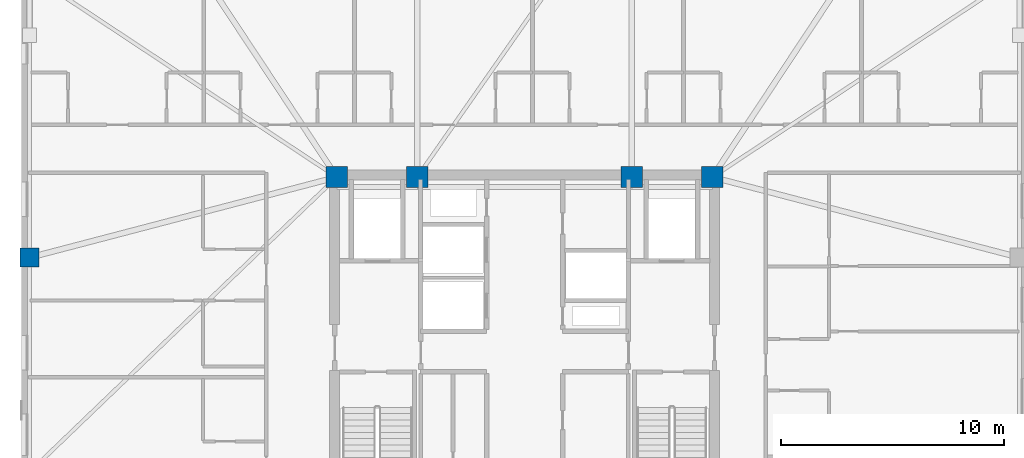
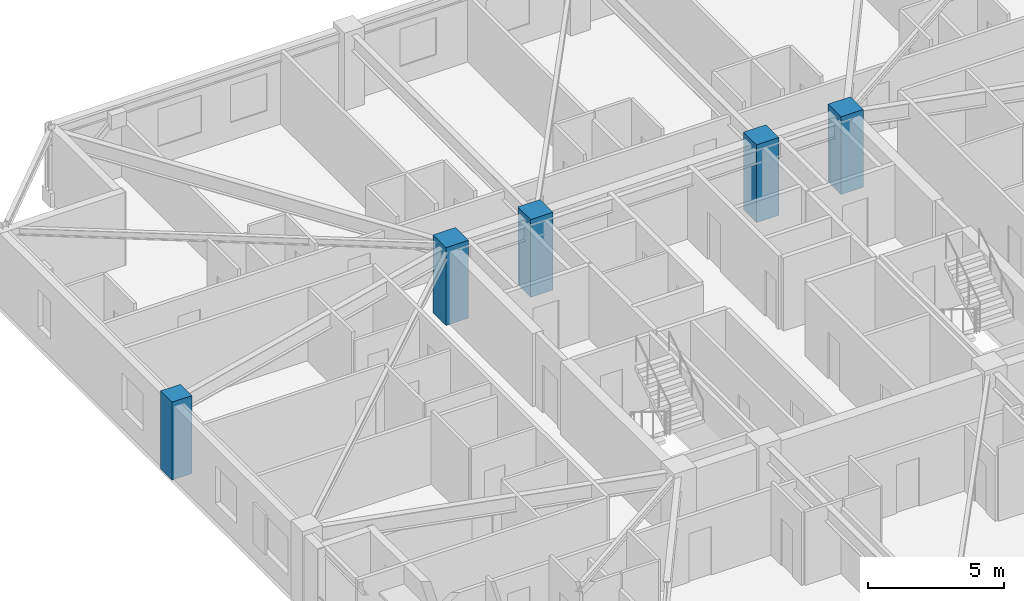
# One storey, part 2 of 17: 5 columns.
"""IFC4 building model written with IfcOpenShell, lengths in metres."""

from ifc_helpers import new_model, si_unit, direction, frame, origin, origin_2d, place, context, subcontext, project, spatial, rectangle, extrude, material, material_profile, profile_set, type_object, element, save


model = new_model("IFC4")

# Units and contexts
model_context = context("Model", 3, precision=1e-05, world=origin(), true_north=direction((0.0, 1.0)))
body_context = subcontext(model_context, "Body", "Model", "MODEL_VIEW")
ifc_project = project(units=[si_unit("LENGTHUNIT", "METRE"), si_unit("AREAUNIT", "SQUARE_METRE"), si_unit("VOLUMEUNIT", "CUBIC_METRE"), si_unit("PLANEANGLEUNIT", "RADIAN"), si_unit("MASSUNIT", "GRAM", prefix="KILO")], contexts=[model_context])

# Site, building, storey
site_placement = place(None, origin())
site = spatial("IfcSite", under=ifc_project, at=site_placement, CompositionType="ELEMENT")
building_placement = place(site_placement, origin())
building = spatial("IfcBuilding", under=site, at=building_placement, Name="Cairnveth Concourse Tower", CompositionType="ELEMENT")
storey_placement = place(building_placement, frame((0.0, 0.0, 251.5)))
storey = spatial("IfcBuildingStorey", under=building, at=storey_placement, Name="L69", CompositionType="ELEMENT", Elevation=251.5)

# Columns
ifc_material = material(Name="Concrete N65 (65 MPa)", Category="concrete")
ifc_material_profile_1 = material_profile(ifc_material, rectangle(XDim=0.949951171875, YDim=0.949951171875, at=origin_2d()), Name="RC-COL-950x950")
ifc_profile_set_1 = profile_set([ifc_material_profile_1], Name="Concrete N65 (65 MPa)")
column_type_1 = type_object("IfcColumnType", Name="CORE COLUMN 950X950", PredefinedType="COLUMN", material=ifc_profile_set_1)
for number, where, z_axis, x_axis, name in (
    (1, (43.60009765625, 47.39990234375, 0.0), (0.0, 0.0, 1.0), (1.0, 0.0, 0.0), "Column CC5 L69"),
    (2, (47.199951171875, 47.39990234375, 0.0), (0.0, 0.0, 1.0), (1.0, 0.0, 0.0), "Column CC6 L69"),
    (3, (56.800048828125, 47.39990234375, 0.0), (0.0, 0.0, 1.0), (1.0, 0.0, 0.0), "Column CC7 L69"),
    (4, (60.39990234375, 47.39990234375, 0.0), (0.0, 0.0, 1.0), (1.0, 0.0, 0.0), "Column CC8 L69"),
):
    element("IfcColumn", number, at=place(storey_placement, frame(where, z_axis=z_axis, x_axis=x_axis)), inside=storey, type_object=column_type_1, Name=name, PredefinedType="COLUMN", context=body_context, shape_type="SweptSolid", body=[
        extrude(rectangle(XDim=0.949951171875, YDim=0.949951171875, at=origin_2d()), origin(), (0.0, 0.0, 1.0), 3.5),
    ])
ifc_material_profile_2 = material_profile(ifc_material, rectangle(XDim=0.85009765625, YDim=0.85009765625, at=origin_2d()), Name="RC-COL-850x850")
ifc_profile_set_2 = profile_set([ifc_material_profile_2], Name="Concrete N65 (65 MPa)")
column_type_2 = type_object("IfcColumnType", Name="PERIMETER PIER COLUMN 850X850", PredefinedType="COLUMN", material=ifc_profile_set_2)
column_placement = place(storey_placement, frame((29.85009765625, 43.800048828125, 0.0), z_axis=(0.0, 0.0, 1.0), x_axis=(0.0, 1.0, 0.0)))
element("IfcColumn", 5, at=column_placement, inside=storey, type_object=column_type_2, Name="Column P-W2 L69", PredefinedType="COLUMN", context=body_context, shape_type="SweptSolid", body=[
    extrude(rectangle(XDim=0.85009765625, YDim=0.85009765625, at=origin_2d()), origin(), (0.0, 0.0, 1.0), 3.5),
])

save(model, "model.ifc")
